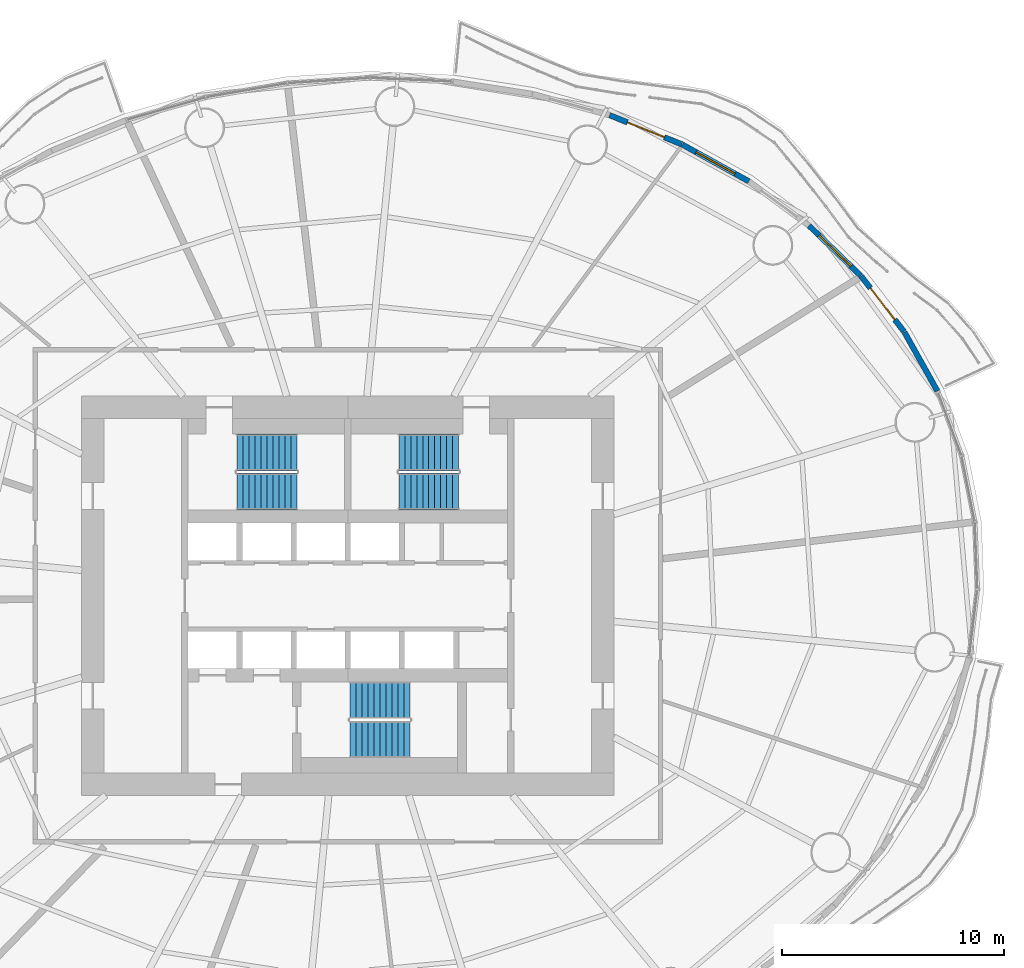
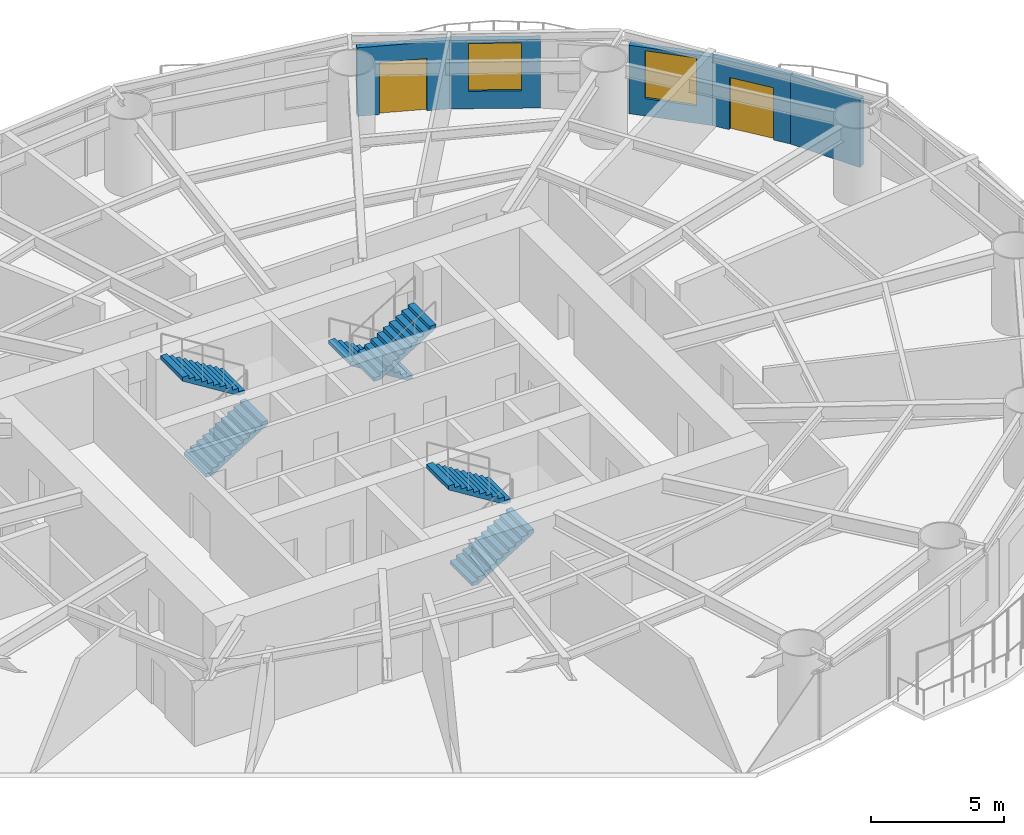
# One storey, part 11 of 16: 6 stair flights, 5 walls, 2 doors, 2 windows, 4 openings, 3 elements without a shape of their own.
"""IFC4 building model written with IfcOpenShell, lengths in metres."""

from ifc_helpers import new_model, si_unit, direction, frame, frame_2d, origin, place, context, subcontext, project, spatial, polyline, rectangle, outline, extrude, material, layer, layer_set, type_object, element, fill, aggregate, save


model = new_model("IFC4")

# Units and contexts
model_context = context("Model", 3, precision=1e-05, world=origin(), true_north=direction((0.0, 1.0)))
body_context = subcontext(model_context, "Body", "Model", "MODEL_VIEW")
ifc_project = project(units=[si_unit("LENGTHUNIT", "METRE"), si_unit("AREAUNIT", "SQUARE_METRE"), si_unit("VOLUMEUNIT", "CUBIC_METRE"), si_unit("PLANEANGLEUNIT", "RADIAN"), si_unit("MASSUNIT", "GRAM", prefix="KILO")], contexts=[model_context])

# Site, building, storey
site_placement = place(None, origin())
site = spatial("IfcSite", under=ifc_project, at=site_placement, CompositionType="ELEMENT")
building_placement = place(site_placement, origin())
building = spatial("IfcBuilding", under=site, at=building_placement, Name="Vermilion Reach Broadcast Tower", CompositionType="ELEMENT")
storey_placement = place(building_placement, frame((0.0, 0.0, 61.89990234375)))
storey = spatial("IfcBuildingStorey", under=building, at=storey_placement, Name="L12", CompositionType="ELEMENT", Elevation=61.89990234375)

# Wall
ifc_material_1 = material(Name="Terracotta rainscreen cladding", Category="masonry")
ifc_layer = layer(ifc_material_1, 0.25)
ifc_layer_set = layer_set([ifc_layer], Name="Terracotta rainscreen wall 250")
wall_type = type_object("IfcWallType", Name="Terracotta rainscreen wall 250", PredefinedType="SOLIDWALL", material=ifc_layer_set)
wall_1_placement = place(storey_placement, frame((20.587158203125, 9.234375, 0.0), z_axis=(0.0, 0.0, 1.0), x_axis=(-0.488205617754, 0.872728637547, 0.0)))
element("IfcWall", 1, at=wall_1_placement, inside=storey, type_object=wall_type, Name="External wall L12 02", PredefinedType="SOLIDWALL", context=body_context, shape_type="SweptSolid", body=[
    extrude(rectangle(XDim=3.046875, YDim=0.25, at=frame_2d((1.5234375, 0.0))), origin(), (0.0, 0.0, 1.0), 3.150146484375),
])

# Wall, opening, door
wall_2_placement = place(storey_placement, frame((19.0849609375, 11.915771484375, 0.0), z_axis=(0.0, 0.0, 1.0), x_axis=(-0.612382091745, 0.790561935404, 0.0)))
wall_2 = element("IfcWall", 2, at=wall_2_placement, inside=storey, type_object=wall_type, Name="External wall L12 03", PredefinedType="SOLIDWALL", context=body_context, shape_type="SweptSolid", body=[
    extrude(rectangle(XDim=3.158203125, YDim=0.25, at=frame_2d((1.5791015625, 0.0))), origin(), (0.0, 0.0, 1.0), 3.150146484375),
])
opening_1_placement = place(wall_2_placement, frame((0.678955078125, 0.0, 0.0)))
opening_1 = element("IfcOpeningElement", 3, at=opening_1_placement, cuts=wall_2, Name="Opening D70", PredefinedType="OPENING", context=body_context, shape_type="SweptSolid", body=[
    extrude(rectangle(XDim=1.800048828125, YDim=2.39990234375, at=frame_2d((0.89990234375, 1.199951171875))), frame((0.0, 0.135009765625, 0.0), z_axis=(0.0, -1.0, 0.0), x_axis=(1.0, 0.0, 0.0)), (0.0, 0.0, 1.0), 0.27001953125),
])
ifc_material_2 = material(Name="Low-e laminated clear glass in aluminium frame", Category="aluminium")
door_type = type_object("IfcDoorType", Name="Balcony sliding door 1800 x 2400", OperationType="DOUBLE_DOOR_SLIDING", PredefinedType="DOOR", material=ifc_material_2)
door_1_placement = place(opening_1_placement, origin())
door_1 = element("IfcDoor", 4, at=door_1_placement, inside=storey, type_object=door_type, Name="Balcony door L12 run 01", OperationType="DOUBLE_DOOR_SLIDING", OverallHeight=2.39990234375, OverallWidth=1.800048828125, PredefinedType="DOOR", context=body_context, shape_type="SweptSolid", body=[
    extrude(rectangle(XDim=1.800048828125, YDim=2.39990234375, at=frame_2d((0.89990234375, 1.199951171875))), frame((0.0, 0.02490234375, 0.0), z_axis=(0.0, -1.0, 0.0), x_axis=(1.0, 0.0, 0.0)), (0.0, 0.0, 1.0), 0.050048828125),
])
fill(opening_1, door_1)

# Wall, opening, window
wall_3_placement = place(storey_placement, frame((17.1337890625, 14.431884765625, 0.0), z_axis=(0.0, 0.0, 1.0), x_axis=(-0.718313139299, 0.695719939279, 0.0)))
wall_3 = element("IfcWall", 5, at=wall_3_placement, inside=storey, type_object=wall_type, Name="External wall L12 04", PredefinedType="SOLIDWALL", context=body_context, shape_type="SweptSolid", body=[
    extrude(rectangle(XDim=3.24169921875, YDim=0.25, at=frame_2d((1.620849609375, 0.0))), origin(), (0.0, 0.0, 1.0), 3.150146484375),
])
opening_2_placement = place(wall_3_placement, frame((0.620849609375, 0.0, 0.800048828125)))
opening_2 = element("IfcOpeningElement", 6, at=opening_2_placement, cuts=wall_3, Name="Opening W01", PredefinedType="OPENING", context=body_context, shape_type="SweptSolid", body=[
    extrude(rectangle(XDim=2.0, YDim=2.199951171875, at=frame_2d((1.0, 1.10009765625))), frame((0.0, 0.135009765625, 0.0), z_axis=(0.0, -1.0, 0.0), x_axis=(1.0, 0.0, 0.0)), (0.0, 0.0, 1.0), 0.27001953125),
])
ifc_material_3 = material(Name="Low-e laminated clear glass in aluminium frame", Category="aluminium")
window_type = type_object("IfcWindowType", Name="Punched window 2000 x 2200 sill 800", PartitioningType="SINGLE_PANEL", PredefinedType="WINDOW", material=ifc_material_3)
window_1_placement = place(opening_2_placement, origin())
window_1 = element("IfcWindow", 7, at=window_1_placement, inside=storey, type_object=window_type, Name="Window L12 04", OverallHeight=2.199951171875, OverallWidth=2.0, PartitioningType="SINGLE_PANEL", PredefinedType="WINDOW", context=body_context, shape_type="SweptSolid", body=[
    extrude(rectangle(XDim=2.0, YDim=2.199951171875, at=frame_2d((1.0, 1.10009765625))), frame((0.0, 0.030029296875, 0.0), z_axis=(0.0, -1.0, 0.0), x_axis=(1.0, 0.0, 0.0)), (0.0, 0.0, 1.0), 0.06005859375),
])
fill(opening_2, window_1)

wall_4_placement = place(storey_placement, frame((12.081787109375, 18.690673828125, 0.0), z_axis=(0.0, 0.0, 1.0), x_axis=(-0.874758800171, 0.48455860484, 0.0)))
wall_4 = element("IfcWall", 8, at=wall_4_placement, inside=storey, type_object=wall_type, Name="External wall L12 06", PredefinedType="SOLIDWALL", context=body_context, shape_type="SweptSolid", body=[
    extrude(rectangle(XDim=3.423095703125, YDim=0.25, at=frame_2d((1.71142578125, 0.0))), origin(), (0.0, 0.0, 1.0), 3.150146484375),
])
opening_3_placement = place(wall_4_placement, frame((0.711669921875, 0.0, 0.800048828125)))
opening_3 = element("IfcOpeningElement", 9, at=opening_3_placement, cuts=wall_4, Name="Opening W01", PredefinedType="OPENING", context=body_context, shape_type="SweptSolid", body=[
    extrude(rectangle(XDim=2.0, YDim=2.199951171875, at=frame_2d((1.0, 1.10009765625))), frame((0.0, 0.135009765625, 0.0), z_axis=(0.0, -1.0, 0.0), x_axis=(1.0, 0.0, 0.0)), (0.0, 0.0, 1.0), 0.27001953125),
])
window_2_placement = place(opening_3_placement, origin())
window_2 = element("IfcWindow", 10, at=window_2_placement, inside=storey, type_object=window_type, Name="Window L12 06", OverallHeight=2.199951171875, OverallWidth=2.0, PartitioningType="SINGLE_PANEL", PredefinedType="WINDOW", context=body_context, shape_type="SweptSolid", body=[
    extrude(rectangle(XDim=2.0, YDim=2.199951171875, at=frame_2d((1.0, 1.10009765625))), frame((0.0, 0.030029296875, 0.0), z_axis=(0.0, -1.0, 0.0), x_axis=(1.0, 0.0, 0.0)), (0.0, 0.0, 1.0), 0.06005859375),
])
fill(opening_3, window_2)

# Wall, opening, door
wall_5_placement = place(storey_placement, frame((9.06640625, 20.359375, 0.0), z_axis=(0.0, 0.0, 1.0), x_axis=(-0.927325439412, 0.374255967782, 0.0)))
wall_5 = element("IfcWall", 11, at=wall_5_placement, inside=storey, type_object=wall_type, Name="External wall L12 07", PredefinedType="SOLIDWALL", context=body_context, shape_type="SweptSolid", body=[
    extrude(rectangle(XDim=3.509033203125, YDim=0.25, at=frame_2d((1.75439453125, 0.0))), origin(), (0.0, 0.0, 1.0), 3.150146484375),
])
opening_4_placement = place(wall_5_placement, frame((0.85400390625, 0.0, 0.0)))
opening_4 = element("IfcOpeningElement", 12, at=opening_4_placement, cuts=wall_5, Name="Opening D70", PredefinedType="OPENING", context=body_context, shape_type="SweptSolid", body=[
    extrude(rectangle(XDim=1.800048828125, YDim=2.39990234375, at=frame_2d((0.89990234375, 1.199951171875))), frame((0.0, 0.135009765625, 0.0), z_axis=(0.0, -1.0, 0.0), x_axis=(1.0, 0.0, 0.0)), (0.0, 0.0, 1.0), 0.27001953125),
])
door_2_placement = place(opening_4_placement, origin())
door_2 = element("IfcDoor", 13, at=door_2_placement, inside=storey, type_object=door_type, Name="Balcony door L12 run 02", OperationType="DOUBLE_DOOR_SLIDING", OverallHeight=2.39990234375, OverallWidth=1.800048828125, PredefinedType="DOOR", context=body_context, shape_type="SweptSolid", body=[
    extrude(rectangle(XDim=1.800048828125, YDim=2.39990234375, at=frame_2d((0.89990234375, 1.199951171875))), frame((0.0, 0.02490234375, 0.0), z_axis=(0.0, -1.0, 0.0), x_axis=(1.0, 0.0, 0.0)), (0.0, 0.0, 1.0), 0.050048828125),
])
fill(opening_4, door_2)

# Stair, stair flights
ifc_material_4 = material(Name="Concrete C40", Category="concrete")
stair_type = type_object("IfcStairType", Name="Exit stair RC 22 risers 168 mm", PredefinedType="HALF_TURN_STAIR", material=ifc_material_4)
placement = place(storey_placement, origin())
stair_1 = element("IfcStair", 14, at=placement, inside=storey, type_object=stair_type, Name="L12 Exit stair ST1", PredefinedType="HALF_TURN_STAIR")
ifc_material_5 = material(Name="Concrete C40", Category="concrete")
stair_flight_type = type_object("IfcStairFlightType", Name="Exit stair flight RC 11 risers", PredefinedType="STRAIGHT", material=ifc_material_5)
stair_flight_1_placement = place(storey_placement, frame((-11.0, 4.7099609375, 0.0), z_axis=(0.0, 0.0, 1.0), x_axis=(1.0, 0.0, 0.0)))
stair_flight_1 = element("IfcStairFlight", 15, at=stair_flight_1_placement, type_object=stair_flight_type, Name="ST1 flight 1", NumberOfRisers=11, NumberOfTreads=10, PredefinedType="STRAIGHT", RiserHeight=0.168181818, TreadLength=0.27, context=body_context, shape_type="SweptSolid", body=[
    extrude(outline(polyline([(0.0, 0.0), (0.0, 0.168212890625), (0.27001953125, 0.168212890625), (0.27001953125, 0.33642578125), (0.5400390625, 0.33642578125), (0.5400390625, 0.504638671875), (0.81005859375, 0.504638671875), (0.81005859375, 0.672607421875), (1.080078125, 0.672607421875), (1.080078125, 0.8408203125), (1.35009765625, 0.8408203125), (1.35009765625, 1.009033203125), (1.6201171875, 1.009033203125), (1.6201171875, 1.17724609375), (1.889892578125, 1.17724609375), (1.889892578125, 1.345458984375), (2.159912109375, 1.345458984375), (2.159912109375, 1.513671875), (2.429931640625, 1.513671875), (2.429931640625, 1.681884765625), (2.699951171875, 1.681884765625), (2.699951171875, 1.85009765625), (2.699951171875, 1.505126953125), (0.283447265625, 0.0), (0.0, 0.0)])), frame((0.0, 0.830078125, 0.0), z_axis=(0.0, -1.0, 0.0), x_axis=(1.0, 0.0, 0.0)), (0.0, 0.0, 1.0), 1.659912109375),
])
stair_flight_2_placement = place(storey_placement, frame((-8.300048828125, 6.469970703125, 1.85009765625), z_axis=(0.0, 0.0, 1.0), x_axis=(-1.0, 0.0, 0.0)))
stair_flight_2 = element("IfcStairFlight", 16, at=stair_flight_2_placement, type_object=stair_flight_type, Name="ST1 flight 2", NumberOfRisers=11, NumberOfTreads=10, PredefinedType="STRAIGHT", RiserHeight=0.168181818, TreadLength=0.27, context=body_context, shape_type="SweptSolid", body=[
    extrude(outline(polyline([(0.0, 0.0), (0.0, 0.168212890625), (0.27001953125, 0.168212890625), (0.27001953125, 0.33642578125), (0.5400390625, 0.33642578125), (0.5400390625, 0.504638671875), (0.81005859375, 0.504638671875), (0.81005859375, 0.672607421875), (1.080078125, 0.672607421875), (1.080078125, 0.8408203125), (1.35009765625, 0.8408203125), (1.35009765625, 1.009033203125), (1.6201171875, 1.009033203125), (1.6201171875, 1.17724609375), (1.889892578125, 1.17724609375), (1.889892578125, 1.345458984375), (2.159912109375, 1.345458984375), (2.159912109375, 1.513671875), (2.429931640625, 1.513671875), (2.429931640625, 1.681884765625), (2.699951171875, 1.681884765625), (2.699951171875, 1.85009765625), (2.699951171875, 1.505126953125), (0.283447265625, 0.0), (0.0, 0.0)])), frame((0.0, 0.830078125, 0.0), z_axis=(0.0, -1.0, 0.0), x_axis=(1.0, 0.0, 0.0)), (0.0, 0.0, 1.0), 1.659912109375),
])
aggregate(stair_1, [stair_flight_1, stair_flight_2])

stair_2 = element("IfcStair", 17, at=placement, inside=storey, type_object=stair_type, Name="L12 Exit stair ST2", PredefinedType="HALF_TURN_STAIR")
stair_flight_3_placement = place(storey_placement, frame((-1.0, 6.469970703125, 0.0), z_axis=(0.0, 0.0, 1.0), x_axis=(-1.0, 0.0, 0.0)))
stair_flight_3 = element("IfcStairFlight", 18, at=stair_flight_3_placement, type_object=stair_flight_type, Name="ST2 flight 1", NumberOfRisers=11, NumberOfTreads=10, PredefinedType="STRAIGHT", RiserHeight=0.168181818, TreadLength=0.27, context=body_context, shape_type="SweptSolid", body=[
    extrude(outline(polyline([(0.0, 0.0), (0.0, 0.168212890625), (0.27001953125, 0.168212890625), (0.27001953125, 0.33642578125), (0.5400390625, 0.33642578125), (0.5400390625, 0.504638671875), (0.81005859375, 0.504638671875), (0.81005859375, 0.672607421875), (1.080078125, 0.672607421875), (1.080078125, 0.8408203125), (1.35009765625, 0.8408203125), (1.35009765625, 1.009033203125), (1.6201171875, 1.009033203125), (1.6201171875, 1.17724609375), (1.889892578125, 1.17724609375), (1.889892578125, 1.345458984375), (2.159912109375, 1.345458984375), (2.159912109375, 1.513671875), (2.429931640625, 1.513671875), (2.429931640625, 1.681884765625), (2.699951171875, 1.681884765625), (2.699951171875, 1.85009765625), (2.699951171875, 1.505126953125), (0.283447265625, 0.0), (0.0, 0.0)])), frame((0.0, 0.830078125, 0.0), z_axis=(0.0, -1.0, 0.0), x_axis=(1.0, 0.0, 0.0)), (0.0, 0.0, 1.0), 1.659912109375),
])
stair_flight_4_placement = place(storey_placement, frame((-3.699951171875, 4.7099609375, 1.85009765625), z_axis=(0.0, 0.0, 1.0), x_axis=(1.0, 0.0, 0.0)))
stair_flight_4 = element("IfcStairFlight", 19, at=stair_flight_4_placement, type_object=stair_flight_type, Name="ST2 flight 2", NumberOfRisers=11, NumberOfTreads=10, PredefinedType="STRAIGHT", RiserHeight=0.168181818, TreadLength=0.27, context=body_context, shape_type="SweptSolid", body=[
    extrude(outline(polyline([(0.0, 0.0), (0.0, 0.168212890625), (0.27001953125, 0.168212890625), (0.27001953125, 0.33642578125), (0.5400390625, 0.33642578125), (0.5400390625, 0.504638671875), (0.81005859375, 0.504638671875), (0.81005859375, 0.672607421875), (1.080078125, 0.672607421875), (1.080078125, 0.8408203125), (1.35009765625, 0.8408203125), (1.35009765625, 1.009033203125), (1.6201171875, 1.009033203125), (1.6201171875, 1.17724609375), (1.889892578125, 1.17724609375), (1.889892578125, 1.345458984375), (2.159912109375, 1.345458984375), (2.159912109375, 1.513671875), (2.429931640625, 1.513671875), (2.429931640625, 1.681884765625), (2.699951171875, 1.681884765625), (2.699951171875, 1.85009765625), (2.699951171875, 1.505126953125), (0.283447265625, 0.0), (0.0, 0.0)])), frame((0.0, 0.830078125, 0.0), z_axis=(0.0, -1.0, 0.0), x_axis=(1.0, 0.0, 0.0)), (0.0, 0.0, 1.0), 1.659912109375),
])
aggregate(stair_2, [stair_flight_3, stair_flight_4])

stair_3 = element("IfcStair", 20, at=placement, inside=storey, type_object=stair_type, Name="L12 Exit stair ST3", PredefinedType="HALF_TURN_STAIR")
stair_flight_5_placement = place(storey_placement, frame((-5.89990234375, -6.469970703125, 0.0), z_axis=(0.0, 0.0, 1.0), x_axis=(1.0, 0.0, 0.0)))
stair_flight_5 = element("IfcStairFlight", 21, at=stair_flight_5_placement, type_object=stair_flight_type, Name="ST3 flight 1", NumberOfRisers=11, NumberOfTreads=10, PredefinedType="STRAIGHT", RiserHeight=0.168181818, TreadLength=0.27, context=body_context, shape_type="SweptSolid", body=[
    extrude(outline(polyline([(0.0, 0.0), (0.0, 0.168212890625), (0.27001953125, 0.168212890625), (0.27001953125, 0.33642578125), (0.5400390625, 0.33642578125), (0.5400390625, 0.504638671875), (0.81005859375, 0.504638671875), (0.81005859375, 0.672607421875), (1.080078125, 0.672607421875), (1.080078125, 0.8408203125), (1.35009765625, 0.8408203125), (1.35009765625, 1.009033203125), (1.6201171875, 1.009033203125), (1.6201171875, 1.17724609375), (1.889892578125, 1.17724609375), (1.889892578125, 1.345458984375), (2.159912109375, 1.345458984375), (2.159912109375, 1.513671875), (2.429931640625, 1.513671875), (2.429931640625, 1.681884765625), (2.699951171875, 1.681884765625), (2.699951171875, 1.85009765625), (2.699951171875, 1.505126953125), (0.283447265625, 0.0), (0.0, 0.0)])), frame((0.0, 0.830078125, 0.0), z_axis=(0.0, -1.0, 0.0), x_axis=(1.0, 0.0, 0.0)), (0.0, 0.0, 1.0), 1.659912109375),
])
stair_flight_6_placement = place(storey_placement, frame((-3.199951171875, -4.7099609375, 1.85009765625), z_axis=(0.0, 0.0, 1.0), x_axis=(-1.0, 0.0, 0.0)))
stair_flight_6 = element("IfcStairFlight", 22, at=stair_flight_6_placement, type_object=stair_flight_type, Name="ST3 flight 2", NumberOfRisers=11, NumberOfTreads=10, PredefinedType="STRAIGHT", RiserHeight=0.168181818, TreadLength=0.27, context=body_context, shape_type="SweptSolid", body=[
    extrude(outline(polyline([(0.0, 0.0), (0.0, 0.168212890625), (0.27001953125, 0.168212890625), (0.27001953125, 0.33642578125), (0.5400390625, 0.33642578125), (0.5400390625, 0.504638671875), (0.81005859375, 0.504638671875), (0.81005859375, 0.672607421875), (1.080078125, 0.672607421875), (1.080078125, 0.8408203125), (1.35009765625, 0.8408203125), (1.35009765625, 1.009033203125), (1.6201171875, 1.009033203125), (1.6201171875, 1.17724609375), (1.889892578125, 1.17724609375), (1.889892578125, 1.345458984375), (2.159912109375, 1.345458984375), (2.159912109375, 1.513671875), (2.429931640625, 1.513671875), (2.429931640625, 1.681884765625), (2.699951171875, 1.681884765625), (2.699951171875, 1.85009765625), (2.699951171875, 1.505126953125), (0.283447265625, 0.0), (0.0, 0.0)])), frame((0.0, 0.830078125, 0.0), z_axis=(0.0, -1.0, 0.0), x_axis=(1.0, 0.0, 0.0)), (0.0, 0.0, 1.0), 1.659912109375),
])
aggregate(stair_3, [stair_flight_5, stair_flight_6])

save(model, "model.ifc")
